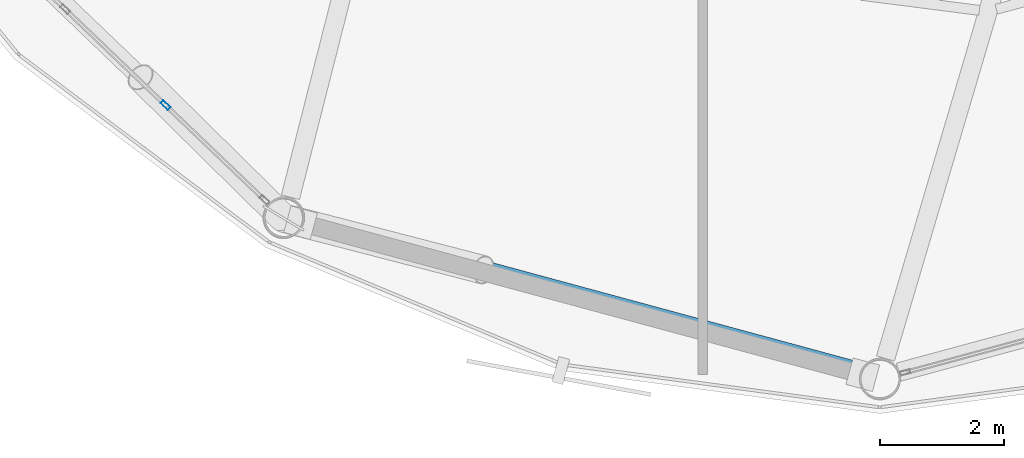
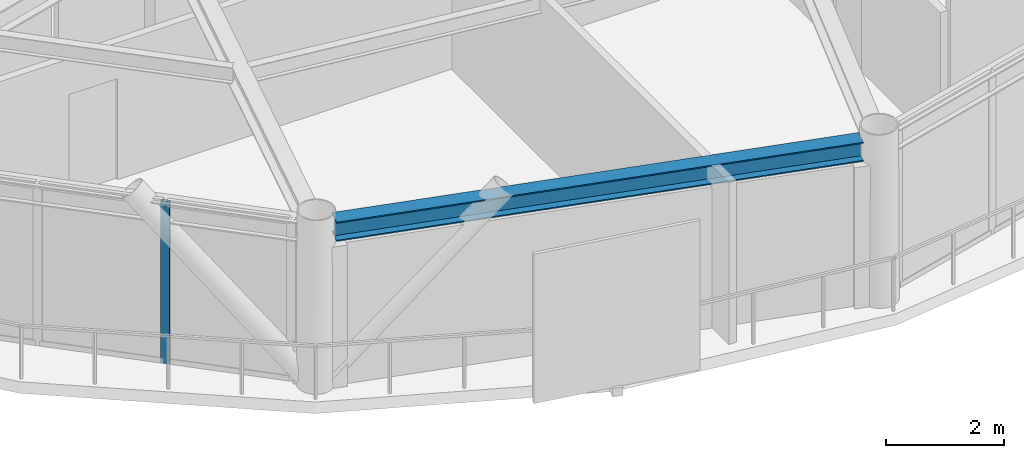
# One storey, part 3 of 28: 1 beam, 1 member, 1 element without a shape of its own.
"""IFC4 building model written with IfcOpenShell, lengths in metres."""

import ifcopenshell
import ifcopenshell.guid

model = None  # the IFC model being written
_history = None  # IfcOwnerHistory: only IFC2X3 demands one
_inside = {}  # id of a spatial element -> (the spatial element, [elements in it])
_under = {}  # id of a project, library or spatial element -> (it, [spatial elements below it])
_declared = {}  # id of a project -> (the project, [libraries it declares])
_typed = {}  # id of a type object -> (the type object, [elements of that type])
_made_of = {}  # id of a material, layer set ... -> (it, [elements and type objects made of it])


def new_model(schema):
    """Start an empty IFC model of exactly this schema.

    Asked for "IFC4X3", IfcOpenShell would pick the latest addendum, in which some entities
    have other attributes; the version numbers below select the first issue.
    IFC2X3 requires an IfcOwnerHistory on every rooted entity: one is made here for all.
    """
    global model, _history
    if schema == "IFC4X3":
        model = ifcopenshell.file(schema_version=(4, 3, 0, 0))
    else:
        model = ifcopenshell.file(schema=schema)
    _inside.clear()
    _under.clear()
    _declared.clear()
    _typed.clear()
    _made_of.clear()
    _history = None
    if model.schema == "IFC2X3":
        org = make("IfcOrganization", Name="unknown")
        user = make(
            "IfcPersonAndOrganization",
            ThePerson=make("IfcPerson", FamilyName="unknown"),
            TheOrganization=org,
        )
        app = make(
            "IfcApplication",
            ApplicationDeveloper=org,
            Version="unknown",
            ApplicationFullName="unknown",
            ApplicationIdentifier="unknown",
        )
        _history = make(
            "IfcOwnerHistory",
            OwningUser=user,
            OwningApplication=app,
            ChangeAction="ADDED",
            CreationDate=0,
        )
    return model


def make(cls, **values):
    """One entity of the class cls with the attributes given. An attribute that is None is left unset."""
    return model.create_entity(
        cls, **{name: value for name, value in values.items() if value is not None}
    )


def rooted(cls, **values):
    """An entity with a GlobalId (a new one), such as an element, a storey or a relation."""
    return make(cls, GlobalId=ifcopenshell.guid.new(), OwnerHistory=_history, **values)


def si_unit(unit_type, name, prefix=None):
    """IfcSIUnit, for example si_unit("LENGTHUNIT", "METRE", prefix="MILLI")."""
    return make("IfcSIUnit", UnitType=unit_type, Prefix=prefix, Name=name)


def assignment(units):
    """IfcUnitAssignment: the units of a project."""
    return None if units is None else make("IfcUnitAssignment", Units=units)


def point(xyz):
    """IfcCartesianPoint."""
    return None if xyz is None else make("IfcCartesianPoint", Coordinates=xyz)


def direction(xyz):
    """IfcDirection."""
    return None if xyz is None else make("IfcDirection", DirectionRatios=xyz)


def frame(location, z_axis=None, x_axis=None):
    """IfcAxis2Placement3D, a coordinate frame: its origin and axes. An axis left out is left unset."""
    return make(
        "IfcAxis2Placement3D",
        Location=point(location),
        Axis=direction(z_axis),
        RefDirection=direction(x_axis),
    )


def frame_2d(location, x_axis=None):
    """IfcAxis2Placement2D, a coordinate frame in the plane: its origin and x axis."""
    return make(
        "IfcAxis2Placement2D", Location=point(location), RefDirection=direction(x_axis)
    )


def origin():
    """The frame at (0, 0, 0) with its axes left unset."""
    return frame((0.0, 0.0, 0.0))


def origin_2d():
    """The frame at (0, 0) in the plane with its x axis left unset."""
    return frame_2d((0.0, 0.0))


def place(relative_to, where):
    """IfcLocalPlacement: puts the frame where relative to a parent placement (None: the world)."""
    return make(
        "IfcLocalPlacement", PlacementRelTo=relative_to, RelativePlacement=where
    )


def context(
    kind, dimensions, precision=None, world=None, true_north=None, identifier=None
):
    """IfcGeometricRepresentationContext, for example the 3D "Model" context."""
    return make(
        "IfcGeometricRepresentationContext",
        ContextIdentifier=identifier,
        ContextType=kind,
        CoordinateSpaceDimension=dimensions,
        Precision=precision,
        WorldCoordinateSystem=world,
        TrueNorth=true_north,
    )


def subcontext(parent, identifier, kind, view, scale=None):
    """IfcGeometricRepresentationSubContext, for example "Body" below "Model"."""
    return make(
        "IfcGeometricRepresentationSubContext",
        ContextIdentifier=identifier,
        ContextType=kind,
        ParentContext=parent,
        TargetScale=scale,
        TargetView=view,
    )


def project(units=None, contexts=None):
    """IfcProject with its units and contexts."""
    return rooted(
        "IfcProject",
        Name="project",
        RepresentationContexts=contexts,
        UnitsInContext=assignment(units),
    )


def spatial(cls, under=None, at=None, **own):
    """A site, building, storey or space (cls), placed at a placement, below another one or the project."""
    s = rooted(cls, ObjectPlacement=at, **own)
    if under is not None:
        _under.setdefault(under.id(), (under, []))[1].append(s)
    return s


def profile(cls, at=None, kind="AREA", **sizes):
    """A parametric profile (cls). Its sizes go by their IFC names, for example OverallWidth=200.0."""
    return make(cls, ProfileType=kind, Position=at, **sizes)


def hollow_rectangle(**sizes):
    """IfcRectangleHollowProfileDef."""
    return profile("IfcRectangleHollowProfileDef", **sizes)


def i_section(**sizes):
    """IfcIShapeProfileDef."""
    return profile("IfcIShapeProfileDef", **sizes)


def extrude(swept, where, along, depth):
    """IfcExtrudedAreaSolid: the profile swept, set in the frame where, extruded along a direction by depth."""
    return make(
        "IfcExtrudedAreaSolid",
        SweptArea=swept,
        Position=where,
        ExtrudedDirection=direction(along),
        Depth=depth,
    )


def shape(context_of_items, identifier, shape_type, items):
    """IfcShapeRepresentation: the items that make up one representation, for example the "Body"."""
    return make(
        "IfcShapeRepresentation",
        ContextOfItems=context_of_items,
        RepresentationIdentifier=identifier,
        RepresentationType=shape_type,
        Items=items,
    )


def material(Name=None, Category=None):
    """IfcMaterial."""
    return make("IfcMaterial", Name=Name, Category=Category)


def layer(
    of_material, thickness, ventilated=None, Name=None, Category=None, Priority=None
):
    """IfcMaterialLayer: one layer of a wall or slab, of a material (None: an air gap)."""
    return make(
        "IfcMaterialLayer",
        Material=of_material,
        LayerThickness=thickness,
        IsVentilated=ventilated,
        Name=Name,
        Category=Category,
        Priority=Priority,
    )


def layer_set(layers, Name=None):
    """IfcMaterialLayerSet."""
    return make("IfcMaterialLayerSet", MaterialLayers=layers, LayerSetName=Name)


def material_profile(
    of_material, cross_section, Name=None, Category=None, Priority=None
):
    """IfcMaterialProfile: a cross section and its material."""
    return make(
        "IfcMaterialProfile",
        Name=Name,
        Material=of_material,
        Profile=cross_section,
        Priority=Priority,
        Category=Category,
    )


def profile_set(profiles, Name=None, composite=None):
    """IfcMaterialProfileSet."""
    return make(
        "IfcMaterialProfileSet",
        Name=Name,
        MaterialProfiles=profiles,
        CompositeProfile=composite,
    )


def made_of(thing, what):
    """Note that an element or type object is made of a material, layer set ...; save() writes the relation."""
    if what is not None:
        _made_of.setdefault(what.id(), (what, []))[1].append(thing)
    return thing


def type_object(cls, material=None, **own):
    """A type object (cls), such as IfcWallType, which elements share."""
    return made_of(rooted(cls, **own), material)


def element(
    cls,
    number,
    at=None,
    inside=None,
    cuts=None,
    type_object=None,
    material=None,
    context=None,
    identifier="Body",
    shape_type=None,
    held_by="IfcProductDefinitionShape",
    body=None,
    shapes=None,
    **own,
):
    """One element of the class cls, such as IfcWall. Its Tag is "e" and its number.

    at: its placement. inside: the storey or other place that contains it. cuts: it is an
    opening in that element (IfcRelVoidsElement). A single representation is given by context,
    identifier, shape_type and body (its items); several are given by shapes. held_by: the class
    of the entity that holds the representations. save() writes the other relations.
    """
    e = rooted(cls, Tag="e%d" % number, ObjectPlacement=at, **own)
    if body is not None:
        shapes = [shape(context, identifier, shape_type, body)]
    if shapes is not None:
        e.Representation = make(held_by, Representations=shapes)
    if inside is not None:
        _inside.setdefault(inside.id(), (inside, []))[1].append(e)
    if cuts is not None:
        rooted(
            "IfcRelVoidsElement", RelatingBuildingElement=cuts, RelatedOpeningElement=e
        )
    if type_object is not None:
        _typed.setdefault(type_object.id(), (type_object, []))[1].append(e)
    return made_of(e, material)


def aggregate(whole, parts):
    """IfcRelAggregates: a whole, such as a stair, and the parts it consists of."""
    return rooted("IfcRelAggregates", RelatingObject=whole, RelatedObjects=parts)


def save(model, path):
    """Write the relations noted so far, then the file.

    IfcRelAggregates (storeys below a building ...), IfcRelContainedInSpatialStructure (elements
    in a storey), IfcRelDefinesByType, IfcRelAssociatesMaterial and IfcRelDeclares: one each for
    every whole, place, type object, material and project.
    """
    for whole, parts in _under.values():
        aggregate(whole, parts)
    for where, things in _inside.values():
        rooted(
            "IfcRelContainedInSpatialStructure",
            RelatedElements=things,
            RelatingStructure=where,
        )
    for kind, things in _typed.values():
        rooted("IfcRelDefinesByType", RelatedObjects=things, RelatingType=kind)
    for what, things in _made_of.values():
        rooted("IfcRelAssociatesMaterial", RelatedObjects=things, RelatingMaterial=what)
    for by, libraries in _declared.values():
        rooted("IfcRelDeclares", RelatingContext=by, RelatedDefinitions=libraries)
    model.write(path)


model = new_model("IFC4")

# Units and contexts
model_context = context("Model", 3, precision=1e-05, world=origin(), true_north=direction((0.0, 1.0)))
body_context = subcontext(model_context, "Body", "Model", "MODEL_VIEW")
ifc_project = project(units=[si_unit("LENGTHUNIT", "METRE"), si_unit("AREAUNIT", "SQUARE_METRE"), si_unit("VOLUMEUNIT", "CUBIC_METRE"), si_unit("PLANEANGLEUNIT", "RADIAN"), si_unit("MASSUNIT", "GRAM", prefix="KILO")], contexts=[model_context])

# Site, building, storey
site_placement = place(None, origin())
site = spatial("IfcSite", under=ifc_project, at=site_placement, CompositionType="ELEMENT")
building_placement = place(site_placement, origin())
building = spatial("IfcBuilding", under=site, at=building_placement, Name="Varnakorn Sky Granary", CompositionType="ELEMENT")
storey_placement = place(building_placement, frame((0.0, 0.0, 204.0)))
storey = spatial("IfcBuildingStorey", under=building, at=storey_placement, Name="L51", CompositionType="ELEMENT", Elevation=204.0)

# Beam
ifc_material_1 = material(Name="Steel S355JR", Category="steel")
ifc_material_profile_1 = material_profile(ifc_material_1, i_section(OverallWidth=0.300048828125, OverallDepth=0.39990234375, WebThickness=0.013427734375, FlangeThickness=0.02392578125, at=origin_2d()), Name="HE 400 B")
ifc_profile_set_1 = profile_set([ifc_material_profile_1], Name="Steel S355JR")
beam_type = type_object("IfcBeamType", Name="BM-SPD-Z4", PredefinedType="SPANDREL", material=ifc_profile_set_1)
beam_placement = place(storey_placement, frame((-4.3984375, -15.939208984375, 3.159912109375), z_axis=(0.965201438715, -0.261507519399, 0.0), x_axis=(0.261507519399, 0.965201438715, 0.0)))
element("IfcBeam", 1, at=beam_placement, inside=storey, type_object=beam_type, Name="Perimeter Spandrel Ring Beam RB09 L51", PredefinedType="SPANDREL", context=body_context, shape_type="SweptSolid", body=[
    extrude(i_section(OverallWidth=0.300048828125, OverallDepth=0.39990234375, WebThickness=0.013427734375, FlangeThickness=0.02392578125, at=origin_2d()), origin(), (0.0, 0.0, 1.0), 9.266845703125),
])

# Curtain wall, member
ifc_material_2 = material(Name="Anodised Bronze Aluminium Alloy 6063-T6", Category="aluminium")
ifc_layer = layer(ifc_material_2, 0.169921875, Name="Anodised Bronze Aluminium Alloy 6063-T6")
ifc_layer_set = layer_set([ifc_layer], Name="Anodised Bronze Aluminium Alloy 6063-T6")
curtain_wall_type = type_object("IfcCurtainWallType", Name="CW-LAB-1", PredefinedType="USERDEFINED", material=ifc_layer_set)
curtain_wall_placement = place(storey_placement, origin())
curtain_wall = element("IfcCurtainWall", 2, at=curtain_wall_placement, inside=storey, type_object=curtain_wall_type, Name="Unitised Curtain Wall CW5 CW-L51-B08", ObjectType="CURTAIN WALL", PredefinedType="USERDEFINED")
ifc_material_profile_2 = material_profile(ifc_material_2, hollow_rectangle(XDim=0.06494140625, YDim=0.159912109375, WallThickness=0.00341796875, at=origin_2d()), Name="ALU MULL 65x160")
ifc_profile_set_2 = profile_set([ifc_material_profile_2], Name="Anodised Bronze Aluminium Alloy 6063-T6")
member_type = type_object("IfcMemberType", Name="CW-LAB-1-MULL", PredefinedType="MULLION", material=ifc_profile_set_2)
member_placement = place(storey_placement, frame((-6.6318359375, -14.072998046875, 0.0), z_axis=(0.0, 0.0, 1.0), x_axis=(-0.691317195735, -0.722551406393, 0.0)))
member = element("IfcMember", 3, at=member_placement, type_object=member_type, Name="CW5 mullion 2", PredefinedType="MULLION", context=body_context, shape_type="SweptSolid", body=[
    extrude(hollow_rectangle(XDim=0.06494140625, YDim=0.159912109375, WallThickness=0.00341796875, at=origin_2d()), origin(), (0.0, 0.0, 1.0), 3.360107421875),
])
aggregate(curtain_wall, [member])

save(model, "model.ifc")
